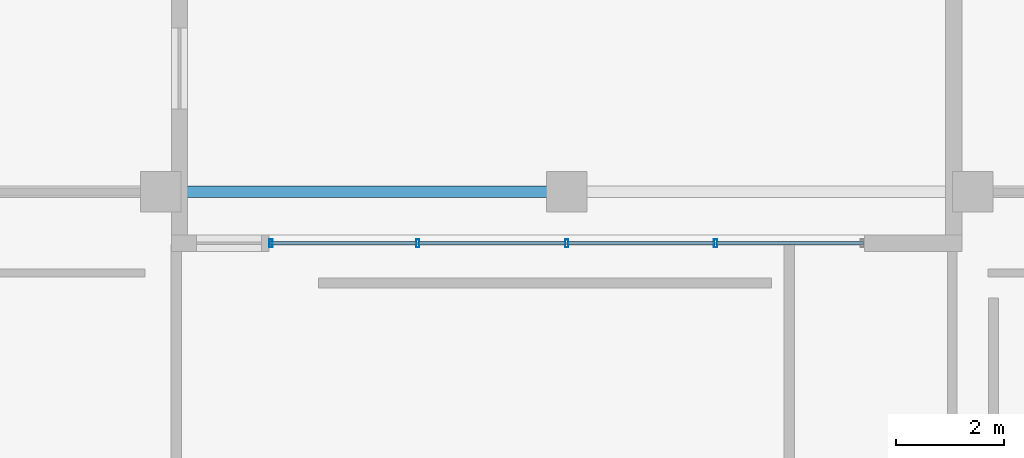
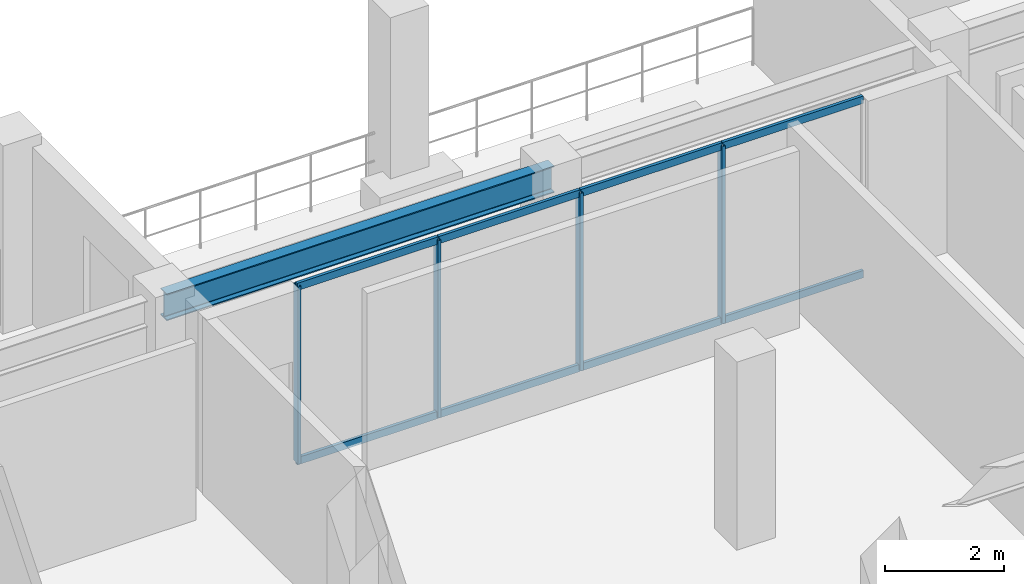
# One storey, part 2 of 9: 12 members, 1 beam, 1 element without a shape of its own.
"""IFC4 building model written with IfcOpenShell, lengths in metres."""

from ifc_helpers import new_model, si_unit, direction, frame, origin, origin_2d, place, context, subcontext, project, spatial, hollow_rectangle, i_section, extrude, material, material_profile, profile_set, type_object, element, aggregate, save


model = new_model("IFC4")

# Units and contexts
model_context = context("Model", 3, precision=1e-05, world=origin(), true_north=direction((0.0, 1.0)))
body_context = subcontext(model_context, "Body", "Model", "MODEL_VIEW")
ifc_project = project(units=[si_unit("LENGTHUNIT", "METRE"), si_unit("AREAUNIT", "SQUARE_METRE"), si_unit("VOLUMEUNIT", "CUBIC_METRE"), si_unit("PLANEANGLEUNIT", "RADIAN"), si_unit("MASSUNIT", "GRAM", prefix="KILO")], contexts=[model_context])

# Site, building, storey
site_placement = place(None, origin())
site = spatial("IfcSite", under=ifc_project, at=site_placement, CompositionType="ELEMENT")
building_placement = place(site_placement, origin())
building = spatial("IfcBuilding", under=site, at=building_placement, Name="Ventersveld Concourse Tower", CompositionType="ELEMENT")
storey_placement = place(building_placement, frame((0.0, 0.0, 204.14990234375)))
storey = spatial("IfcBuildingStorey", under=building, at=storey_placement, Name="L50", CompositionType="ELEMENT", Elevation=204.14990234375)

# Curtain wall, members
ifc_material_1 = material(Name="Anodised aluminium EN AW-6063-T6", Category="aluminium")
curtain_wall_type = type_object("IfcCurtainWallType", Name="CW-SG-4", PredefinedType="NOTDEFINED", material=ifc_material_1)
curtain_wall_placement = place(storey_placement, origin())
curtain_wall = element("IfcCurtainWall", 1, at=curtain_wall_placement, inside=storey, type_object=curtain_wall_type, Name="L50 L50 Sky Garden Recessed Curtain Wall", PredefinedType="NOTDEFINED")
ifc_material_profile_1 = material_profile(ifc_material_1, hollow_rectangle(XDim=0.06005859375, YDim=0.14990234375, WallThickness=0.00390625, at=origin_2d()), Name="ALU 150x60x4")
ifc_profile_set_1 = profile_set([ifc_material_profile_1], Name="Anodised aluminium EN AW-6063-T6")
member_type_1 = type_object("IfcMemberType", Name="CWM-150x65", PredefinedType="MULLION", material=ifc_profile_set_1)
member_1_placement = place(storey_placement, frame((23.2900390625, 34.050048828125, 0.0), z_axis=(0.0, 0.0, 1.0), x_axis=(1.0, 0.0, 0.0)))
member_1 = element("IfcMember", 2, at=member_1_placement, type_object=member_type_1, Name="CW-L50-SG Mullion 01", PredefinedType="MULLION", context=body_context, shape_type="SweptSolid", body=[
    extrude(hollow_rectangle(XDim=0.06005859375, YDim=0.14990234375, WallThickness=0.00390625, at=origin_2d()), origin(), (0.0, 0.0, 1.0), 3.630126953125),
])
member_2_placement = place(storey_placement, frame((26.0, 34.050048828125, 0.0), z_axis=(0.0, 0.0, 1.0), x_axis=(1.0, 0.0, 0.0)))
member_2 = element("IfcMember", 3, at=member_2_placement, type_object=member_type_1, Name="CW-L50-SG Mullion 02", PredefinedType="MULLION", context=body_context, shape_type="SweptSolid", body=[
    extrude(hollow_rectangle(XDim=0.06005859375, YDim=0.14990234375, WallThickness=0.00390625, at=origin_2d()), origin(), (0.0, 0.0, 1.0), 3.630126953125),
])
member_3_placement = place(storey_placement, frame((28.75, 34.050048828125, 0.0), z_axis=(0.0, 0.0, 1.0), x_axis=(1.0, 0.0, 0.0)))
member_3 = element("IfcMember", 4, at=member_3_placement, type_object=member_type_1, Name="CW-L50-SG Mullion 03", PredefinedType="MULLION", context=body_context, shape_type="SweptSolid", body=[
    extrude(hollow_rectangle(XDim=0.06005859375, YDim=0.14990234375, WallThickness=0.00390625, at=origin_2d()), origin(), (0.0, 0.0, 1.0), 3.630126953125),
])
member_4_placement = place(storey_placement, frame((31.5, 34.050048828125, 0.0), z_axis=(0.0, 0.0, 1.0), x_axis=(1.0, 0.0, 0.0)))
member_4 = element("IfcMember", 5, at=member_4_placement, type_object=member_type_1, Name="CW-L50-SG Mullion 04", PredefinedType="MULLION", context=body_context, shape_type="SweptSolid", body=[
    extrude(hollow_rectangle(XDim=0.06005859375, YDim=0.14990234375, WallThickness=0.00390625, at=origin_2d()), origin(), (0.0, 0.0, 1.0), 3.630126953125),
])
ifc_material_profile_2 = material_profile(ifc_material_1, hollow_rectangle(XDim=0.06005859375, YDim=0.14990234375, WallThickness=0.00390625, at=origin_2d()), Name="ALU 150x60x4")
ifc_profile_set_2 = profile_set([ifc_material_profile_2], Name="Anodised aluminium EN AW-6063-T6")
member_type_2 = type_object("IfcMemberType", Name="CWT-150x60", PredefinedType="USERDEFINED", material=ifc_profile_set_2)
member_5_placement = place(storey_placement, frame((23.27001953125, 34.050048828125, 0.030029296875), z_axis=(1.0, 0.0, 0.0), x_axis=(0.0, 1.0, 0.0)))
member_5 = element("IfcMember", 6, at=member_5_placement, type_object=member_type_2, Name="CW-L50-SG Transom 1-01", ObjectType="TRANSOM", PredefinedType="USERDEFINED", context=body_context, shape_type="SweptSolid", body=[
    extrude(hollow_rectangle(XDim=0.06005859375, YDim=0.14990234375, WallThickness=0.00390625, at=origin_2d()), origin(), (0.0, 0.0, 1.0), 2.719970703125),
])
member_6_placement = place(storey_placement, frame((26.010009765625, 34.050048828125, 0.030029296875), z_axis=(1.0, 0.0, 0.0), x_axis=(0.0, 1.0, 0.0)))
member_6 = element("IfcMember", 7, at=member_6_placement, type_object=member_type_2, Name="CW-L50-SG Transom 1-02", ObjectType="TRANSOM", PredefinedType="USERDEFINED", context=body_context, shape_type="SweptSolid", body=[
    extrude(hollow_rectangle(XDim=0.06005859375, YDim=0.14990234375, WallThickness=0.00390625, at=origin_2d()), origin(), (0.0, 0.0, 1.0), 2.72998046875),
])
member_7_placement = place(storey_placement, frame((28.760009765625, 34.050048828125, 0.030029296875), z_axis=(1.0, 0.0, 0.0), x_axis=(0.0, 1.0, 0.0)))
member_7 = element("IfcMember", 8, at=member_7_placement, type_object=member_type_2, Name="CW-L50-SG Transom 1-03", ObjectType="TRANSOM", PredefinedType="USERDEFINED", context=body_context, shape_type="SweptSolid", body=[
    extrude(hollow_rectangle(XDim=0.06005859375, YDim=0.14990234375, WallThickness=0.00390625, at=origin_2d()), origin(), (0.0, 0.0, 1.0), 2.72998046875),
])
member_8_placement = place(storey_placement, frame((31.510009765625, 34.050048828125, 0.030029296875), z_axis=(1.0, 0.0, 0.0), x_axis=(0.0, 1.0, 0.0)))
member_8 = element("IfcMember", 9, at=member_8_placement, type_object=member_type_2, Name="CW-L50-SG Transom 1-04", ObjectType="TRANSOM", PredefinedType="USERDEFINED", context=body_context, shape_type="SweptSolid", body=[
    extrude(hollow_rectangle(XDim=0.06005859375, YDim=0.14990234375, WallThickness=0.00390625, at=origin_2d()), origin(), (0.0, 0.0, 1.0), 2.719970703125),
])
member_9_placement = place(storey_placement, frame((23.27001953125, 34.050048828125, 3.60009765625), z_axis=(1.0, 0.0, 0.0), x_axis=(0.0, 1.0, 0.0)))
member_9 = element("IfcMember", 10, at=member_9_placement, type_object=member_type_2, Name="CW-L50-SG Transom 2-01", ObjectType="TRANSOM", PredefinedType="USERDEFINED", context=body_context, shape_type="SweptSolid", body=[
    extrude(hollow_rectangle(XDim=0.06005859375, YDim=0.14990234375, WallThickness=0.00390625, at=origin_2d()), origin(), (0.0, 0.0, 1.0), 2.719970703125),
])
member_10_placement = place(storey_placement, frame((26.010009765625, 34.050048828125, 3.60009765625), z_axis=(1.0, 0.0, 0.0), x_axis=(0.0, 1.0, 0.0)))
member_10 = element("IfcMember", 11, at=member_10_placement, type_object=member_type_2, Name="CW-L50-SG Transom 2-02", ObjectType="TRANSOM", PredefinedType="USERDEFINED", context=body_context, shape_type="SweptSolid", body=[
    extrude(hollow_rectangle(XDim=0.06005859375, YDim=0.14990234375, WallThickness=0.00390625, at=origin_2d()), origin(), (0.0, 0.0, 1.0), 2.72998046875),
])
member_11_placement = place(storey_placement, frame((28.760009765625, 34.050048828125, 3.60009765625), z_axis=(1.0, 0.0, 0.0), x_axis=(0.0, 1.0, 0.0)))
member_11 = element("IfcMember", 12, at=member_11_placement, type_object=member_type_2, Name="CW-L50-SG Transom 2-03", ObjectType="TRANSOM", PredefinedType="USERDEFINED", context=body_context, shape_type="SweptSolid", body=[
    extrude(hollow_rectangle(XDim=0.06005859375, YDim=0.14990234375, WallThickness=0.00390625, at=origin_2d()), origin(), (0.0, 0.0, 1.0), 2.72998046875),
])
member_12_placement = place(storey_placement, frame((31.510009765625, 34.050048828125, 3.60009765625), z_axis=(1.0, 0.0, 0.0), x_axis=(0.0, 1.0, 0.0)))
member_12 = element("IfcMember", 13, at=member_12_placement, type_object=member_type_2, Name="CW-L50-SG Transom 2-04", ObjectType="TRANSOM", PredefinedType="USERDEFINED", context=body_context, shape_type="SweptSolid", body=[
    extrude(hollow_rectangle(XDim=0.06005859375, YDim=0.14990234375, WallThickness=0.00390625, at=origin_2d()), origin(), (0.0, 0.0, 1.0), 2.719970703125),
])
aggregate(curtain_wall, [member_1, member_2, member_3, member_4, member_5, member_6, member_7, member_8, member_9, member_10, member_11, member_12])

# Beam
ifc_material_2 = material(Name="Structural steel S355J2", Category="steel")
ifc_material_profile_3 = material_profile(ifc_material_2, i_section(OverallWidth=0.2119140625, OverallDepth=0.54443359375, WebThickness=0.0126953125, FlangeThickness=0.021240234375, FilletRadius=0.0126953125, at=origin_2d()), Name="UB 533x210x122")
ifc_profile_set_3 = profile_set([ifc_material_profile_3], Name="Structural steel S355J2")
beam_type = type_object("IfcBeamType", Name="GRD-UB533H", PredefinedType="T_BEAM", material=ifc_profile_set_3)
beam_placement = place(storey_placement, frame((21.25, 35.0, 3.35791015625), z_axis=(1.0, 0.0, 0.0), x_axis=(0.0, 1.0, 0.0)))
element("IfcBeam", 14, at=beam_placement, inside=storey, type_object=beam_type, Name="L50 E-W Grid Girder Y=35.00 #3", PredefinedType="T_BEAM", context=body_context, shape_type="SweptSolid", body=[
    extrude(i_section(OverallWidth=0.2119140625, OverallDepth=0.54443359375, WebThickness=0.0126953125, FlangeThickness=0.021240234375, FilletRadius=0.0126953125, at=origin_2d()), origin(), (0.0, 0.0, 1.0), 7.5),
])

save(model, "model.ifc")
